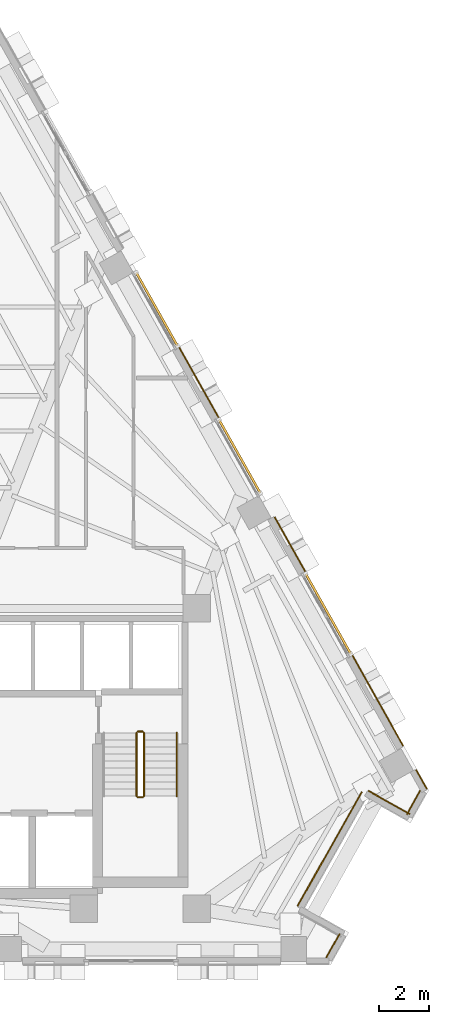
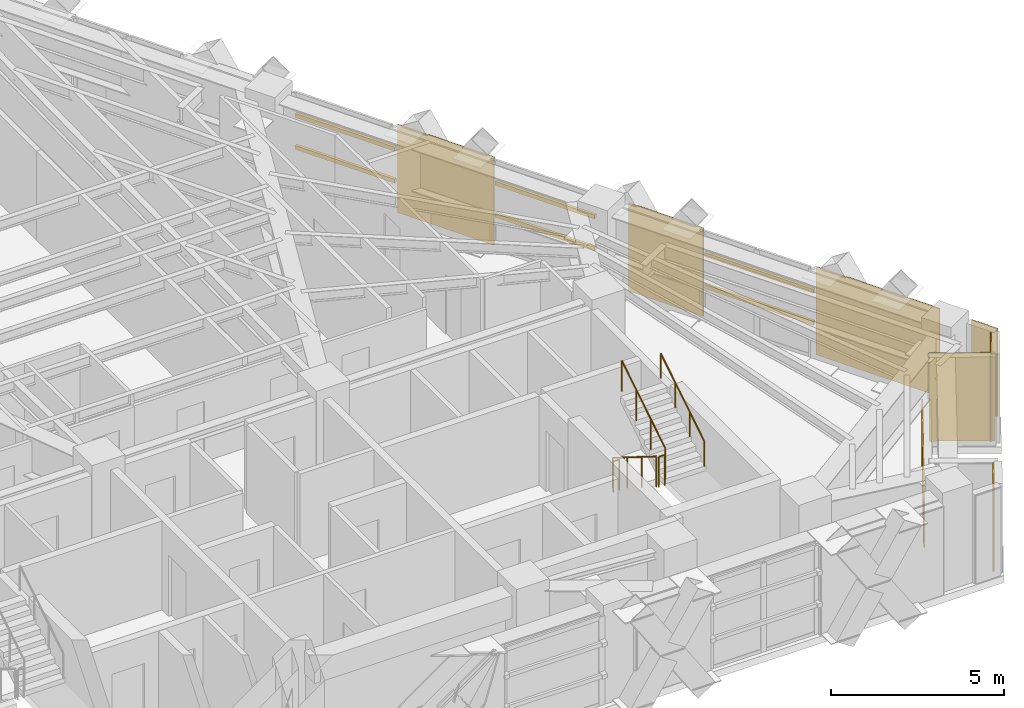
# One storey, part 12 of 13: 8 coverings, 6 shading devices, 5 railings.
"""IFC4 building model written with IfcOpenShell, lengths in metres."""

import ifcopenshell
import ifcopenshell.guid

model = None  # the IFC model being written
_history = None  # IfcOwnerHistory: only IFC2X3 demands one
_inside = {}  # id of a spatial element -> (the spatial element, [elements in it])
_under = {}  # id of a project, library or spatial element -> (it, [spatial elements below it])
_declared = {}  # id of a project -> (the project, [libraries it declares])
_typed = {}  # id of a type object -> (the type object, [elements of that type])
_made_of = {}  # id of a material, layer set ... -> (it, [elements and type objects made of it])


def new_model(schema):
    """Start an empty IFC model of exactly this schema.

    Asked for "IFC4X3", IfcOpenShell would pick the latest addendum, in which some entities
    have other attributes; the version numbers below select the first issue.
    IFC2X3 requires an IfcOwnerHistory on every rooted entity: one is made here for all.
    """
    global model, _history
    if schema == "IFC4X3":
        model = ifcopenshell.file(schema_version=(4, 3, 0, 0))
    else:
        model = ifcopenshell.file(schema=schema)
    _inside.clear()
    _under.clear()
    _declared.clear()
    _typed.clear()
    _made_of.clear()
    _history = None
    if model.schema == "IFC2X3":
        org = make("IfcOrganization", Name="unknown")
        user = make(
            "IfcPersonAndOrganization",
            ThePerson=make("IfcPerson", FamilyName="unknown"),
            TheOrganization=org,
        )
        app = make(
            "IfcApplication",
            ApplicationDeveloper=org,
            Version="unknown",
            ApplicationFullName="unknown",
            ApplicationIdentifier="unknown",
        )
        _history = make(
            "IfcOwnerHistory",
            OwningUser=user,
            OwningApplication=app,
            ChangeAction="ADDED",
            CreationDate=0,
        )
    return model


def make(cls, **values):
    """One entity of the class cls with the attributes given. An attribute that is None is left unset."""
    return model.create_entity(
        cls, **{name: value for name, value in values.items() if value is not None}
    )


def rooted(cls, **values):
    """An entity with a GlobalId (a new one), such as an element, a storey or a relation."""
    return make(cls, GlobalId=ifcopenshell.guid.new(), OwnerHistory=_history, **values)


def si_unit(unit_type, name, prefix=None):
    """IfcSIUnit, for example si_unit("LENGTHUNIT", "METRE", prefix="MILLI")."""
    return make("IfcSIUnit", UnitType=unit_type, Prefix=prefix, Name=name)


def assignment(units):
    """IfcUnitAssignment: the units of a project."""
    return None if units is None else make("IfcUnitAssignment", Units=units)


def point(xyz):
    """IfcCartesianPoint."""
    return None if xyz is None else make("IfcCartesianPoint", Coordinates=xyz)


def direction(xyz):
    """IfcDirection."""
    return None if xyz is None else make("IfcDirection", DirectionRatios=xyz)


def frame(location, z_axis=None, x_axis=None):
    """IfcAxis2Placement3D, a coordinate frame: its origin and axes. An axis left out is left unset."""
    return make(
        "IfcAxis2Placement3D",
        Location=point(location),
        Axis=direction(z_axis),
        RefDirection=direction(x_axis),
    )


def frame_2d(location, x_axis=None):
    """IfcAxis2Placement2D, a coordinate frame in the plane: its origin and x axis."""
    return make(
        "IfcAxis2Placement2D", Location=point(location), RefDirection=direction(x_axis)
    )


def origin():
    """The frame at (0, 0, 0) with its axes left unset."""
    return frame((0.0, 0.0, 0.0))


def origin_2d():
    """The frame at (0, 0) in the plane with its x axis left unset."""
    return frame_2d((0.0, 0.0))


def place(relative_to, where):
    """IfcLocalPlacement: puts the frame where relative to a parent placement (None: the world)."""
    return make(
        "IfcLocalPlacement", PlacementRelTo=relative_to, RelativePlacement=where
    )


def context(
    kind, dimensions, precision=None, world=None, true_north=None, identifier=None
):
    """IfcGeometricRepresentationContext, for example the 3D "Model" context."""
    return make(
        "IfcGeometricRepresentationContext",
        ContextIdentifier=identifier,
        ContextType=kind,
        CoordinateSpaceDimension=dimensions,
        Precision=precision,
        WorldCoordinateSystem=world,
        TrueNorth=true_north,
    )


def subcontext(parent, identifier, kind, view, scale=None):
    """IfcGeometricRepresentationSubContext, for example "Body" below "Model"."""
    return make(
        "IfcGeometricRepresentationSubContext",
        ContextIdentifier=identifier,
        ContextType=kind,
        ParentContext=parent,
        TargetScale=scale,
        TargetView=view,
    )


def project(units=None, contexts=None):
    """IfcProject with its units and contexts."""
    return rooted(
        "IfcProject",
        Name="project",
        RepresentationContexts=contexts,
        UnitsInContext=assignment(units),
    )


def spatial(cls, under=None, at=None, **own):
    """A site, building, storey or space (cls), placed at a placement, below another one or the project."""
    s = rooted(cls, ObjectPlacement=at, **own)
    if under is not None:
        _under.setdefault(under.id(), (under, []))[1].append(s)
    return s


def polyline(points):
    """IfcPolyline through the points."""
    return make("IfcPolyline", Points=[point(p) for p in points])


def profile(cls, at=None, kind="AREA", **sizes):
    """A parametric profile (cls). Its sizes go by their IFC names, for example OverallWidth=200.0."""
    return make(cls, ProfileType=kind, Position=at, **sizes)


def rectangle(**sizes):
    """IfcRectangleProfileDef."""
    return profile("IfcRectangleProfileDef", **sizes)


def circle(**sizes):
    """IfcCircleProfileDef."""
    return profile("IfcCircleProfileDef", **sizes)


def outline(outer, holes=None, kind="AREA"):
    """IfcArbitraryClosedProfileDef: a profile drawn as a closed curve; with holes, ...WithVoids."""
    if holes is None:
        return make("IfcArbitraryClosedProfileDef", ProfileType=kind, OuterCurve=outer)
    return make(
        "IfcArbitraryProfileDefWithVoids",
        ProfileType=kind,
        OuterCurve=outer,
        InnerCurves=holes,
    )


def extrude(swept, where, along, depth):
    """IfcExtrudedAreaSolid: the profile swept, set in the frame where, extruded along a direction by depth."""
    return make(
        "IfcExtrudedAreaSolid",
        SweptArea=swept,
        Position=where,
        ExtrudedDirection=direction(along),
        Depth=depth,
    )


def shape(context_of_items, identifier, shape_type, items):
    """IfcShapeRepresentation: the items that make up one representation, for example the "Body"."""
    return make(
        "IfcShapeRepresentation",
        ContextOfItems=context_of_items,
        RepresentationIdentifier=identifier,
        RepresentationType=shape_type,
        Items=items,
    )


def material(Name=None, Category=None):
    """IfcMaterial."""
    return make("IfcMaterial", Name=Name, Category=Category)


def layer(
    of_material, thickness, ventilated=None, Name=None, Category=None, Priority=None
):
    """IfcMaterialLayer: one layer of a wall or slab, of a material (None: an air gap)."""
    return make(
        "IfcMaterialLayer",
        Material=of_material,
        LayerThickness=thickness,
        IsVentilated=ventilated,
        Name=Name,
        Category=Category,
        Priority=Priority,
    )


def layer_set(layers, Name=None):
    """IfcMaterialLayerSet."""
    return make("IfcMaterialLayerSet", MaterialLayers=layers, LayerSetName=Name)


def material_profile(
    of_material, cross_section, Name=None, Category=None, Priority=None
):
    """IfcMaterialProfile: a cross section and its material."""
    return make(
        "IfcMaterialProfile",
        Name=Name,
        Material=of_material,
        Profile=cross_section,
        Priority=Priority,
        Category=Category,
    )


def profile_set(profiles, Name=None, composite=None):
    """IfcMaterialProfileSet."""
    return make(
        "IfcMaterialProfileSet",
        Name=Name,
        MaterialProfiles=profiles,
        CompositeProfile=composite,
    )


def made_of(thing, what):
    """Note that an element or type object is made of a material, layer set ...; save() writes the relation."""
    if what is not None:
        _made_of.setdefault(what.id(), (what, []))[1].append(thing)
    return thing


def type_object(cls, material=None, **own):
    """A type object (cls), such as IfcWallType, which elements share."""
    return made_of(rooted(cls, **own), material)


def element(
    cls,
    number,
    at=None,
    inside=None,
    cuts=None,
    type_object=None,
    material=None,
    context=None,
    identifier="Body",
    shape_type=None,
    held_by="IfcProductDefinitionShape",
    body=None,
    shapes=None,
    **own,
):
    """One element of the class cls, such as IfcWall. Its Tag is "e" and its number.

    at: its placement. inside: the storey or other place that contains it. cuts: it is an
    opening in that element (IfcRelVoidsElement). A single representation is given by context,
    identifier, shape_type and body (its items); several are given by shapes. held_by: the class
    of the entity that holds the representations. save() writes the other relations.
    """
    e = rooted(cls, Tag="e%d" % number, ObjectPlacement=at, **own)
    if body is not None:
        shapes = [shape(context, identifier, shape_type, body)]
    if shapes is not None:
        e.Representation = make(held_by, Representations=shapes)
    if inside is not None:
        _inside.setdefault(inside.id(), (inside, []))[1].append(e)
    if cuts is not None:
        rooted(
            "IfcRelVoidsElement", RelatingBuildingElement=cuts, RelatedOpeningElement=e
        )
    if type_object is not None:
        _typed.setdefault(type_object.id(), (type_object, []))[1].append(e)
    return made_of(e, material)


def aggregate(whole, parts):
    """IfcRelAggregates: a whole, such as a stair, and the parts it consists of."""
    return rooted("IfcRelAggregates", RelatingObject=whole, RelatedObjects=parts)


def save(model, path):
    """Write the relations noted so far, then the file.

    IfcRelAggregates (storeys below a building ...), IfcRelContainedInSpatialStructure (elements
    in a storey), IfcRelDefinesByType, IfcRelAssociatesMaterial and IfcRelDeclares: one each for
    every whole, place, type object, material and project.
    """
    for whole, parts in _under.values():
        aggregate(whole, parts)
    for where, things in _inside.values():
        rooted(
            "IfcRelContainedInSpatialStructure",
            RelatedElements=things,
            RelatingStructure=where,
        )
    for kind, things in _typed.values():
        rooted("IfcRelDefinesByType", RelatedObjects=things, RelatingType=kind)
    for what, things in _made_of.values():
        rooted("IfcRelAssociatesMaterial", RelatedObjects=things, RelatingMaterial=what)
    for by, libraries in _declared.values():
        rooted("IfcRelDeclares", RelatingContext=by, RelatedDefinitions=libraries)
    model.write(path)


model = new_model("IFC4")

# Units and contexts
model_context = context("Model", 3, precision=1e-05, world=origin(), true_north=direction((0.0, 1.0)))
body_context = subcontext(model_context, "Body", "Model", "MODEL_VIEW")
ifc_project = project(units=[si_unit("LENGTHUNIT", "METRE"), si_unit("AREAUNIT", "SQUARE_METRE"), si_unit("VOLUMEUNIT", "CUBIC_METRE"), si_unit("PLANEANGLEUNIT", "RADIAN"), si_unit("MASSUNIT", "GRAM", prefix="KILO")], contexts=[model_context])

# Site, building, storey
site_placement = place(None, origin())
site = spatial("IfcSite", under=ifc_project, at=site_placement, CompositionType="ELEMENT")
building_placement = place(site_placement, origin())
building = spatial("IfcBuilding", under=site, at=building_placement, Name="Quenlor Broadcast Tower", CompositionType="ELEMENT")
storey_placement = place(building_placement, frame((0.0, 0.0, 175.5)))
storey = spatial("IfcBuildingStorey", under=building, at=storey_placement, Name="L48", CompositionType="ELEMENT", Elevation=175.5)

# Shading devices
ifc_material_1 = material(Name="Architectural Terracotta Ceramic", Category="masonry")
ifc_material_profile = material_profile(ifc_material_1, rectangle(XDim=0.090087890625, YDim=0.139892578125, at=origin_2d()))
ifc_profile_set = profile_set([ifc_material_profile], Name="Architectural Terracotta Ceramic BAG90x140")
shading_device_type = type_object("IfcShadingDeviceType", Name="Copper Terracotta Baguette Solar Screen 140", PredefinedType="USERDEFINED", material=ifc_profile_set)
for number, where, z_axis, x_axis, name in (
    (1, (17.282958984375, -3.421142578125, 1.13037109375), (0.490258076222, -0.871577316535, 0.0), (0.871577316535, 0.490258076222, 0.0), "L48 Terracotta Baguette Screen 1"),
    (2, (17.282958984375, -3.421142578125, 2.2607421875), (0.490258076222, -0.871577316535, 0.0), (0.871577316535, 0.490258076222, 0.0), "L48 Terracotta Baguette Screen 2"),
):
    element("IfcShadingDevice", number, at=place(storey_placement, frame(where, z_axis=z_axis, x_axis=x_axis)), inside=storey, type_object=shading_device_type, Name=name, ObjectType="BAGUETTE", PredefinedType="USERDEFINED", context=body_context, shape_type="SweptSolid", body=[
        extrude(rectangle(XDim=0.090087890625, YDim=0.139892578125, at=origin_2d()), origin(), (0.0, 0.0, 1.0), 3.6640625),
    ])
for number, where, z_axis, x_axis, name in (
    (3, (10.54052734375, 8.565185546875, 1.13037109375), (0.490257780007, -0.871577483155, 0.0), (0.871577483155, 0.490257780007, 0.0), "L48 Terracotta Baguette Screen 1"),
    (4, (10.54052734375, 8.565185546875, 2.2607421875), (0.490257780007, -0.871577483155, 0.0), (0.871577483155, 0.490257780007, 0.0), "L48 Terracotta Baguette Screen 2"),
    (5, (13.8349609375, 2.708740234375, 1.13037109375), (0.490288918116, -0.871559967399, 0.0), (0.871559967399, 0.490288918116, 0.0), "L48 Terracotta Baguette Screen 1"),
    (6, (13.8349609375, 2.708740234375, 2.2607421875), (0.490288918116, -0.871559967399, 0.0), (0.871559967399, 0.490288918116, 0.0), "L48 Terracotta Baguette Screen 2"),
):
    element("IfcShadingDevice", number, at=place(storey_placement, frame(where, z_axis=z_axis, x_axis=x_axis)), inside=storey, type_object=shading_device_type, Name=name, ObjectType="BAGUETTE", PredefinedType="USERDEFINED", context=body_context, shape_type="SweptSolid", body=[
        extrude(rectangle(XDim=0.090087890625, YDim=0.139892578125, at=origin_2d()), origin(), (0.0, 0.0, 1.0), 3.350341796875),
    ])

# Coverings
ifc_material_2 = material(Name="Architectural Terracotta Ceramic", Category="masonry")
ifc_layer = layer(ifc_material_2, 0.044921875)
ifc_layer_set = layer_set([ifc_layer], Name="Fluted Terracotta Rainscreen Cladding Panel")
covering_type = type_object("IfcCoveringType", Name="Fluted Terracotta Rainscreen Cladding Panel", PredefinedType="CLADDING", material=ifc_layer_set)
covering_1_placement = place(storey_placement, frame((0.0, 0.0, 0.02001953125)))
element("IfcCovering", 7, at=covering_1_placement, inside=storey, type_object=covering_type, Name="L48 Terracotta Rainscreen Cladding L48-SHD-NES1", PredefinedType="CLADDING", context=body_context, shape_type="SweptSolid", body=[
    extrude(outline(polyline([(21.66162109375, -11.23779296875), (22.0859375, -11.992431640625), (22.125244140625, -11.970458984375), (21.70068359375, -11.2158203125), (21.66162109375, -11.23779296875)])), origin(), (0.0, 0.0, 1.0), 3.10009765625),
])
covering_2_placement = place(storey_placement, frame((0.0, 0.0, 0.02001953125)))
element("IfcCovering", 8, at=covering_2_placement, inside=storey, type_object=covering_type, Name="L48 Terracotta Rainscreen Cladding L48-NEC-SP1", PredefinedType="CLADDING", context=body_context, shape_type="SweptSolid", body=[
    extrude(outline(polyline([(16.025146484375, -1.1767578125), (17.254638671875, -3.362548828125), (17.2939453125, -3.340576171875), (16.064453125, -1.15478515625), (16.025146484375, -1.1767578125)])), origin(), (0.0, 0.0, 1.0), 3.10009765625),
])
covering_3_placement = place(storey_placement, frame((0.0, 0.0, 0.02001953125)))
element("IfcCovering", 9, at=covering_3_placement, inside=storey, type_object=covering_type, Name="L48 Terracotta Rainscreen Cladding L48-NEC-SP2", PredefinedType="CLADDING", context=body_context, shape_type="SweptSolid", body=[
    extrude(outline(polyline([(19.11474609375, -6.66943359375), (21.14453125, -10.278076171875), (21.183837890625, -10.256103515625), (19.154052734375, -6.6474609375), (19.11474609375, -6.66943359375)])), origin(), (0.0, 0.0, 1.0), 3.10009765625),
])
covering_4_placement = place(storey_placement, frame((0.0, 0.0, 0.02001953125)))
element("IfcCovering", 10, at=covering_4_placement, inside=storey, type_object=covering_type, Name="L48 Terracotta Rainscreen Cladding L48-NE-SP1", PredefinedType="CLADDING", context=body_context, shape_type="SweptSolid", body=[
    extrude(outline(polyline([(12.218505859375, 5.59033203125), (13.806396484375, 2.767333984375), (13.845703125, 2.789306640625), (12.2578125, 5.6123046875), (12.218505859375, 5.59033203125)])), origin(), (0.0, 0.0, 1.0), 3.10009765625),
])
covering_5_placement = place(storey_placement, frame((0.0, 0.0, 0.02001953125)))
element("IfcCovering", 11, at=covering_5_placement, inside=storey, type_object=covering_type, Name="L48 Terracotta Rainscreen Cladding L48-CNR-02", PredefinedType="CLADDING", context=body_context, shape_type="SweptSolid", body=[
    extrude(outline(polyline([(16.9775390625, -16.663330078125), (19.53662109375, -12.11376953125), (19.49755859375, -12.091796875), (16.938232421875, -16.641357421875), (16.9775390625, -16.663330078125)])), origin(), (0.0, 0.0, 1.0), 1.60009765625),
])
covering_6_placement = place(storey_placement, frame((0.0, 0.0, 0.02001953125)))
element("IfcCovering", 12, at=covering_6_placement, inside=storey, type_object=covering_type, Name="L48 Terracotta Rainscreen Cladding L48-CNR-03", PredefinedType="CLADDING", context=body_context, shape_type="SweptSolid", body=[
    extrude(outline(polyline([(19.764892578125, -12.079345703125), (21.4208984375, -13.010986328125), (21.443115234375, -12.9716796875), (19.787109375, -12.0400390625), (19.764892578125, -12.079345703125)])), origin(), (0.0, 0.0, 1.0), 3.10009765625),
])
covering_7_placement = place(storey_placement, frame((0.0, 0.0, 0.02001953125)))
element("IfcCovering", 13, at=covering_7_placement, inside=storey, type_object=covering_type, Name="L48 Terracotta Rainscreen Cladding L48-CNR-04", PredefinedType="CLADDING", context=body_context, shape_type="SweptSolid", body=[
    extrude(outline(polyline([(21.328857421875, -13.007080078125), (21.859619140625, -12.0634765625), (21.820556640625, -12.04150390625), (21.289794921875, -12.985107421875), (21.328857421875, -13.007080078125)])), origin(), (0.0, 0.0, 1.0), 3.10009765625),
])
covering_8_placement = place(storey_placement, frame((0.0, 0.0, 0.02001953125)))
element("IfcCovering", 14, at=covering_8_placement, inside=storey, type_object=covering_type, Name="L48 Terracotta Rainscreen Cladding L48-CNR-18", PredefinedType="CLADDING", context=body_context, shape_type="SweptSolid", body=[
    extrude(outline(polyline([(18.122802734375, -18.70654296875), (18.652099609375, -17.76611328125), (18.61279296875, -17.743896484375), (18.083740234375, -18.6845703125), (18.122802734375, -18.70654296875)])), origin(), (0.0, 0.0, 1.0), 3.10009765625),
])

# Railings
ifc_material_3 = material(Name="Anodised Aluminium", Category="aluminium")
railing_type_1 = type_object("IfcRailingType", Name="Stainless Aluminium Wall Handrail 900", PredefinedType="HANDRAIL", material=ifc_material_3)
railing_1_placement = place(storey_placement, frame((12.14990234375, -12.27001953125, 1.925048828125)))
element("IfcRailing", 15, at=railing_1_placement, inside=storey, type_object=railing_type_1, Name="L48 ST-2 stair handrail 2", PredefinedType="HANDRAIL", context=body_context, shape_type="SweptSolid", body=[
    extrude(circle(Radius=0.02392578125, at=origin_2d()), frame((0.0, 0.0, 0.8759765625), z_axis=(0.0, 0.848007534815, 0.529984170421), x_axis=(-1.0, 0.0, 0.0)), (0.0, 0.0, 1.0), 2.9716796875),
    extrude(circle(Radius=0.02099609375, at=origin_2d()), origin(), (0.0, 0.0, 1.0), 0.851806640625),
    extrude(circle(Radius=0.02099609375, at=origin_2d()), frame((0.0, 0.840087890625, 0.52490234375)), (0.0, 0.0, 1.0), 0.851806640625),
    extrude(circle(Radius=0.02099609375, at=origin_2d()), frame((0.0, 1.679931640625, 1.050048828125)), (0.0, 0.0, 1.0), 0.851806640625),
    extrude(circle(Radius=0.02099609375, at=origin_2d()), frame((0.0, 2.52001953125, 1.574951171875)), (0.0, 0.0, 1.0), 0.851806640625),
])
ifc_material_4 = material(Name="Steel S355", Category="steel")
railing_type_2 = type_object("IfcRailingType", Name="Tubular Steel S355 Stair Guardrail 1100", PredefinedType="BALUSTRADE", material=ifc_material_4)
railing_2_placement = place(storey_placement, frame((10.550048828125, -9.75, 0.175048828125)))
element("IfcRailing", 16, at=railing_2_placement, inside=storey, type_object=railing_type_2, Name="L48 ST-2 stair guard 1", PredefinedType="BALUSTRADE", context=body_context, shape_type="SweptSolid", body=[
    extrude(circle(Radius=0.02392578125, at=origin_2d()), frame((0.0, 0.0, 1.076171875), z_axis=(0.0, -0.848007534815, 0.529984170421), x_axis=(1.0, 0.0, 0.0)), (0.0, 0.0, 1.0), 2.9716796875),
    extrude(circle(Radius=0.02099609375, at=origin_2d()), origin(), (0.0, 0.0, 1.0), 1.052001953125),
    extrude(circle(Radius=0.02099609375, at=origin_2d()), frame((0.0, -0.840087890625, 0.52490234375)), (0.0, 0.0, 1.0), 1.052001953125),
    extrude(circle(Radius=0.02099609375, at=origin_2d()), frame((0.0, -1.679931640625, 1.050048828125)), (0.0, 0.0, 1.0), 1.052001953125),
    extrude(circle(Radius=0.02099609375, at=origin_2d()), frame((0.0, -2.52001953125, 1.574951171875)), (0.0, 0.0, 1.0), 1.052001953125),
])
railing_3_placement = place(storey_placement, frame((10.60009765625, -12.320068359375, 1.75)))
element("IfcRailing", 17, at=railing_3_placement, inside=storey, type_object=railing_type_2, Name="L48 ST-2 stair guard 2", PredefinedType="BALUSTRADE", context=body_context, shape_type="SweptSolid", body=[
    extrude(circle(Radius=0.02392578125, at=origin_2d()), frame((0.0, 0.0, 1.076171875), z_axis=(1.0, 0.0, 0.0), x_axis=(0.0, 1.0, 0.0)), (0.0, 0.0, 1.0), 0.199951171875),
    extrude(circle(Radius=0.02099609375, at=origin_2d()), origin(), (0.0, 0.0, 1.0), 1.052001953125),
    extrude(circle(Radius=0.02099609375, at=origin_2d()), frame((0.199951171875, 0.0, 0.0)), (0.0, 0.0, 1.0), 1.052001953125),
])
railing_4_placement = place(storey_placement, frame((10.85009765625, -12.27001953125, 1.925048828125)))
element("IfcRailing", 18, at=railing_4_placement, inside=storey, type_object=railing_type_2, Name="L48 ST-2 stair guard 3", PredefinedType="BALUSTRADE", context=body_context, shape_type="SweptSolid", body=[
    extrude(circle(Radius=0.02392578125, at=origin_2d()), frame((0.0, 0.0, 1.076171875), z_axis=(0.0, 0.848007534815, 0.529984170421), x_axis=(-1.0, 0.0, 0.0)), (0.0, 0.0, 1.0), 2.9716796875),
    extrude(circle(Radius=0.02099609375, at=origin_2d()), origin(), (0.0, 0.0, 1.0), 1.052001953125),
    extrude(circle(Radius=0.02099609375, at=origin_2d()), frame((0.0, 0.840087890625, 0.52490234375)), (0.0, 0.0, 1.0), 1.052001953125),
    extrude(circle(Radius=0.02099609375, at=origin_2d()), frame((0.0, 1.679931640625, 1.050048828125)), (0.0, 0.0, 1.0), 1.052001953125),
    extrude(circle(Radius=0.02099609375, at=origin_2d()), frame((0.0, 2.52001953125, 1.574951171875)), (0.0, 0.0, 1.0), 1.052001953125),
])
railing_5_placement = place(storey_placement, frame((10.60009765625, -9.699951171875, 0.0)))
element("IfcRailing", 19, at=railing_5_placement, inside=storey, type_object=railing_type_2, Name="L48 ST-2 stair guard 4", PredefinedType="BALUSTRADE", context=body_context, shape_type="SweptSolid", body=[
    extrude(circle(Radius=0.02392578125, at=origin_2d()), frame((0.0, 0.0, 1.076171875), z_axis=(1.0, 0.0, 0.0), x_axis=(0.0, 1.0, 0.0)), (0.0, 0.0, 1.0), 0.199951171875),
    extrude(circle(Radius=0.02099609375, at=origin_2d()), origin(), (0.0, 0.0, 1.0), 1.052001953125),
    extrude(circle(Radius=0.02099609375, at=origin_2d()), frame((0.199951171875, 0.0, 0.0)), (0.0, 0.0, 1.0), 1.052001953125),
])

save(model, "model.ifc")
